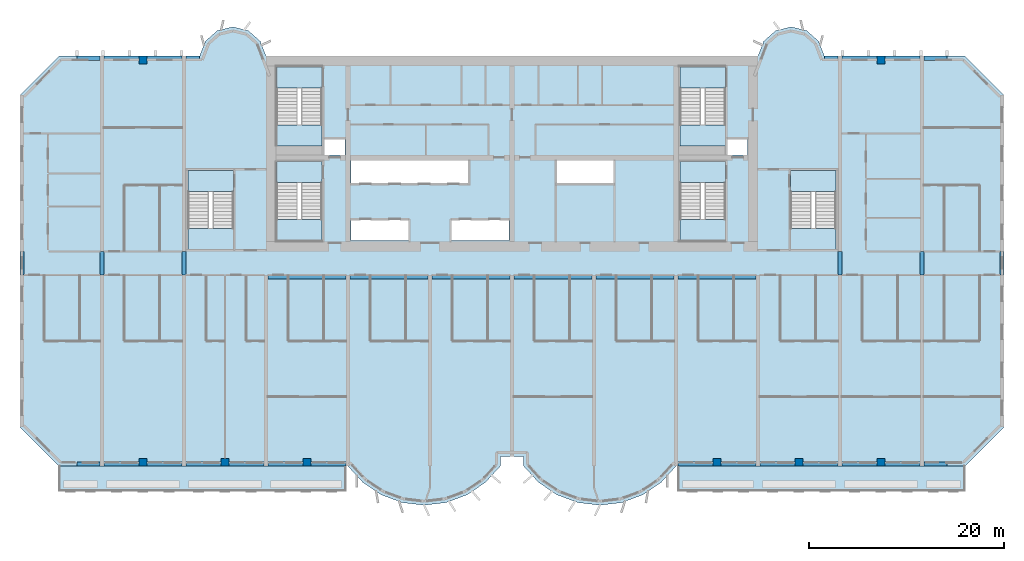
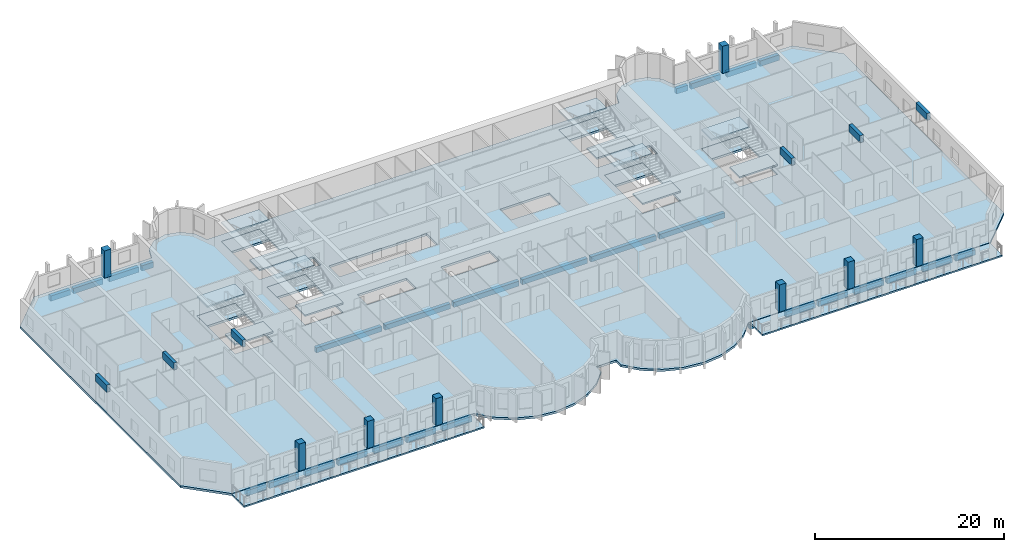
# One storey, part 1 of 15: 34 beams, 21 slabs, 8 columns, 6 elements without a shape of their own.
"""IFC4 building model written with IfcOpenShell, lengths in metres."""

import ifcopenshell
import ifcopenshell.guid

model = None  # the IFC model being written
_history = None  # IfcOwnerHistory: only IFC2X3 demands one
_inside = {}  # id of a spatial element -> (the spatial element, [elements in it])
_under = {}  # id of a project, library or spatial element -> (it, [spatial elements below it])
_declared = {}  # id of a project -> (the project, [libraries it declares])
_typed = {}  # id of a type object -> (the type object, [elements of that type])
_made_of = {}  # id of a material, layer set ... -> (it, [elements and type objects made of it])


def new_model(schema):
    """Start an empty IFC model of exactly this schema.

    Asked for "IFC4X3", IfcOpenShell would pick the latest addendum, in which some entities
    have other attributes; the version numbers below select the first issue.
    IFC2X3 requires an IfcOwnerHistory on every rooted entity: one is made here for all.
    """
    global model, _history
    if schema == "IFC4X3":
        model = ifcopenshell.file(schema_version=(4, 3, 0, 0))
    else:
        model = ifcopenshell.file(schema=schema)
    _inside.clear()
    _under.clear()
    _declared.clear()
    _typed.clear()
    _made_of.clear()
    _history = None
    if model.schema == "IFC2X3":
        org = make("IfcOrganization", Name="unknown")
        user = make(
            "IfcPersonAndOrganization",
            ThePerson=make("IfcPerson", FamilyName="unknown"),
            TheOrganization=org,
        )
        app = make(
            "IfcApplication",
            ApplicationDeveloper=org,
            Version="unknown",
            ApplicationFullName="unknown",
            ApplicationIdentifier="unknown",
        )
        _history = make(
            "IfcOwnerHistory",
            OwningUser=user,
            OwningApplication=app,
            ChangeAction="ADDED",
            CreationDate=0,
        )
    return model


def make(cls, **values):
    """One entity of the class cls with the attributes given. An attribute that is None is left unset."""
    return model.create_entity(
        cls, **{name: value for name, value in values.items() if value is not None}
    )


def rooted(cls, **values):
    """An entity with a GlobalId (a new one), such as an element, a storey or a relation."""
    return make(cls, GlobalId=ifcopenshell.guid.new(), OwnerHistory=_history, **values)


def si_unit(unit_type, name, prefix=None):
    """IfcSIUnit, for example si_unit("LENGTHUNIT", "METRE", prefix="MILLI")."""
    return make("IfcSIUnit", UnitType=unit_type, Prefix=prefix, Name=name)


def assignment(units):
    """IfcUnitAssignment: the units of a project."""
    return None if units is None else make("IfcUnitAssignment", Units=units)


def point(xyz):
    """IfcCartesianPoint."""
    return None if xyz is None else make("IfcCartesianPoint", Coordinates=xyz)


def direction(xyz):
    """IfcDirection."""
    return None if xyz is None else make("IfcDirection", DirectionRatios=xyz)


def frame(location, z_axis=None, x_axis=None):
    """IfcAxis2Placement3D, a coordinate frame: its origin and axes. An axis left out is left unset."""
    return make(
        "IfcAxis2Placement3D",
        Location=point(location),
        Axis=direction(z_axis),
        RefDirection=direction(x_axis),
    )


def frame_2d(location, x_axis=None):
    """IfcAxis2Placement2D, a coordinate frame in the plane: its origin and x axis."""
    return make(
        "IfcAxis2Placement2D", Location=point(location), RefDirection=direction(x_axis)
    )


def origin():
    """The frame at (0, 0, 0) with its axes left unset."""
    return frame((0.0, 0.0, 0.0))


def origin_2d():
    """The frame at (0, 0) in the plane with its x axis left unset."""
    return frame_2d((0.0, 0.0))


def place(relative_to, where):
    """IfcLocalPlacement: puts the frame where relative to a parent placement (None: the world)."""
    return make(
        "IfcLocalPlacement", PlacementRelTo=relative_to, RelativePlacement=where
    )


def context(
    kind, dimensions, precision=None, world=None, true_north=None, identifier=None
):
    """IfcGeometricRepresentationContext, for example the 3D "Model" context."""
    return make(
        "IfcGeometricRepresentationContext",
        ContextIdentifier=identifier,
        ContextType=kind,
        CoordinateSpaceDimension=dimensions,
        Precision=precision,
        WorldCoordinateSystem=world,
        TrueNorth=true_north,
    )


def subcontext(parent, identifier, kind, view, scale=None):
    """IfcGeometricRepresentationSubContext, for example "Body" below "Model"."""
    return make(
        "IfcGeometricRepresentationSubContext",
        ContextIdentifier=identifier,
        ContextType=kind,
        ParentContext=parent,
        TargetScale=scale,
        TargetView=view,
    )


def project(units=None, contexts=None):
    """IfcProject with its units and contexts."""
    return rooted(
        "IfcProject",
        Name="project",
        RepresentationContexts=contexts,
        UnitsInContext=assignment(units),
    )


def spatial(cls, under=None, at=None, **own):
    """A site, building, storey or space (cls), placed at a placement, below another one or the project."""
    s = rooted(cls, ObjectPlacement=at, **own)
    if under is not None:
        _under.setdefault(under.id(), (under, []))[1].append(s)
    return s


def polyline(points):
    """IfcPolyline through the points."""
    return make("IfcPolyline", Points=[point(p) for p in points])


def profile(cls, at=None, kind="AREA", **sizes):
    """A parametric profile (cls). Its sizes go by their IFC names, for example OverallWidth=200.0."""
    return make(cls, ProfileType=kind, Position=at, **sizes)


def rectangle(**sizes):
    """IfcRectangleProfileDef."""
    return profile("IfcRectangleProfileDef", **sizes)


def outline(outer, holes=None, kind="AREA"):
    """IfcArbitraryClosedProfileDef: a profile drawn as a closed curve; with holes, ...WithVoids."""
    if holes is None:
        return make("IfcArbitraryClosedProfileDef", ProfileType=kind, OuterCurve=outer)
    return make(
        "IfcArbitraryProfileDefWithVoids",
        ProfileType=kind,
        OuterCurve=outer,
        InnerCurves=holes,
    )


def extrude(swept, where, along, depth):
    """IfcExtrudedAreaSolid: the profile swept, set in the frame where, extruded along a direction by depth."""
    return make(
        "IfcExtrudedAreaSolid",
        SweptArea=swept,
        Position=where,
        ExtrudedDirection=direction(along),
        Depth=depth,
    )


def shape(context_of_items, identifier, shape_type, items):
    """IfcShapeRepresentation: the items that make up one representation, for example the "Body"."""
    return make(
        "IfcShapeRepresentation",
        ContextOfItems=context_of_items,
        RepresentationIdentifier=identifier,
        RepresentationType=shape_type,
        Items=items,
    )


def source(mapping_origin, context_of_items, identifier, shape_type, items):
    """IfcRepresentationMap: a shape defined once, which mapped items show again and again."""
    return make(
        "IfcRepresentationMap",
        MappingOrigin=mapping_origin,
        MappedRepresentation=shape(context_of_items, identifier, shape_type, items),
    )


def transform(
    local_origin,
    x_axis=None,
    y_axis=None,
    z_axis=None,
    scale=None,
    scale2=None,
    scale3=None,
    uniform=True,
):
    """IfcCartesianTransformationOperator3D, or its non-uniform kind. x_axis, y_axis, z_axis: its Axis1, 2, 3."""
    if uniform:
        return make(
            "IfcCartesianTransformationOperator3D",
            Axis1=direction(x_axis),
            Axis2=direction(y_axis),
            LocalOrigin=point(local_origin),
            Scale=scale,
            Axis3=direction(z_axis),
        )
    return make(
        "IfcCartesianTransformationOperator3DnonUniform",
        Axis1=direction(x_axis),
        Axis2=direction(y_axis),
        LocalOrigin=point(local_origin),
        Scale=scale,
        Axis3=direction(z_axis),
        Scale2=scale2,
        Scale3=scale3,
    )


def mapped(mapping_source, mapping_target):
    """IfcMappedItem: shows the shape of a source again, moved by a transform."""
    return make(
        "IfcMappedItem", MappingSource=mapping_source, MappingTarget=mapping_target
    )


def material(Name=None, Category=None):
    """IfcMaterial."""
    return make("IfcMaterial", Name=Name, Category=Category)


def layer(
    of_material, thickness, ventilated=None, Name=None, Category=None, Priority=None
):
    """IfcMaterialLayer: one layer of a wall or slab, of a material (None: an air gap)."""
    return make(
        "IfcMaterialLayer",
        Material=of_material,
        LayerThickness=thickness,
        IsVentilated=ventilated,
        Name=Name,
        Category=Category,
        Priority=Priority,
    )


def layer_set(layers, Name=None):
    """IfcMaterialLayerSet."""
    return make("IfcMaterialLayerSet", MaterialLayers=layers, LayerSetName=Name)


def material_profile(
    of_material, cross_section, Name=None, Category=None, Priority=None
):
    """IfcMaterialProfile: a cross section and its material."""
    return make(
        "IfcMaterialProfile",
        Name=Name,
        Material=of_material,
        Profile=cross_section,
        Priority=Priority,
        Category=Category,
    )


def profile_set(profiles, Name=None, composite=None):
    """IfcMaterialProfileSet."""
    return make(
        "IfcMaterialProfileSet",
        Name=Name,
        MaterialProfiles=profiles,
        CompositeProfile=composite,
    )


def made_of(thing, what):
    """Note that an element or type object is made of a material, layer set ...; save() writes the relation."""
    if what is not None:
        _made_of.setdefault(what.id(), (what, []))[1].append(thing)
    return thing


def type_object(cls, material=None, **own):
    """A type object (cls), such as IfcWallType, which elements share."""
    return made_of(rooted(cls, **own), material)


def element(
    cls,
    number,
    at=None,
    inside=None,
    cuts=None,
    type_object=None,
    material=None,
    context=None,
    identifier="Body",
    shape_type=None,
    held_by="IfcProductDefinitionShape",
    body=None,
    shapes=None,
    **own,
):
    """One element of the class cls, such as IfcWall. Its Tag is "e" and its number.

    at: its placement. inside: the storey or other place that contains it. cuts: it is an
    opening in that element (IfcRelVoidsElement). A single representation is given by context,
    identifier, shape_type and body (its items); several are given by shapes. held_by: the class
    of the entity that holds the representations. save() writes the other relations.
    """
    e = rooted(cls, Tag="e%d" % number, ObjectPlacement=at, **own)
    if body is not None:
        shapes = [shape(context, identifier, shape_type, body)]
    if shapes is not None:
        e.Representation = make(held_by, Representations=shapes)
    if inside is not None:
        _inside.setdefault(inside.id(), (inside, []))[1].append(e)
    if cuts is not None:
        rooted(
            "IfcRelVoidsElement", RelatingBuildingElement=cuts, RelatedOpeningElement=e
        )
    if type_object is not None:
        _typed.setdefault(type_object.id(), (type_object, []))[1].append(e)
    return made_of(e, material)


def aggregate(whole, parts):
    """IfcRelAggregates: a whole, such as a stair, and the parts it consists of."""
    return rooted("IfcRelAggregates", RelatingObject=whole, RelatedObjects=parts)


def save(model, path):
    """Write the relations noted so far, then the file.

    IfcRelAggregates (storeys below a building ...), IfcRelContainedInSpatialStructure (elements
    in a storey), IfcRelDefinesByType, IfcRelAssociatesMaterial and IfcRelDeclares: one each for
    every whole, place, type object, material and project.
    """
    for whole, parts in _under.values():
        aggregate(whole, parts)
    for where, things in _inside.values():
        rooted(
            "IfcRelContainedInSpatialStructure",
            RelatedElements=things,
            RelatingStructure=where,
        )
    for kind, things in _typed.values():
        rooted("IfcRelDefinesByType", RelatedObjects=things, RelatingType=kind)
    for what, things in _made_of.values():
        rooted("IfcRelAssociatesMaterial", RelatedObjects=things, RelatingMaterial=what)
    for by, libraries in _declared.values():
        rooted("IfcRelDeclares", RelatingContext=by, RelatedDefinitions=libraries)
    model.write(path)


model = new_model("IFC4")

# Units and contexts
model_context = context("Model", 3, precision=1e-05, world=origin(), true_north=direction((0.0, 1.0)))
body_context = subcontext(model_context, "Body", "Model", "MODEL_VIEW")
ifc_project = project(units=[si_unit("LENGTHUNIT", "METRE"), si_unit("AREAUNIT", "SQUARE_METRE"), si_unit("VOLUMEUNIT", "CUBIC_METRE"), si_unit("PLANEANGLEUNIT", "RADIAN"), si_unit("MASSUNIT", "GRAM", prefix="KILO")], contexts=[model_context])

# Site, building, storey
site_placement = place(None, origin())
site = spatial("IfcSite", under=ifc_project, at=site_placement, CompositionType="ELEMENT")
building_placement = place(site_placement, origin())
building = spatial("IfcBuilding", under=site, at=building_placement, Name="Vanashikhar Sky Hotel", CompositionType="ELEMENT")
storey_placement = place(building_placement, frame((0.0, 0.0, 69.60009765625)))
storey = spatial("IfcBuildingStorey", under=building, at=storey_placement, Name="L16", CompositionType="ELEMENT", Elevation=69.60009765625)

# Columns
ifc_material_1 = material(Name="Concrete M70", Category="concrete")
ifc_material_profile_1 = material_profile(ifc_material_1, rectangle(XDim=0.800048828125, YDim=0.800048828125, at=origin_2d()))
ifc_profile_set_1 = profile_set([ifc_material_profile_1], Name="RC 800x800 column Concrete M70")
column_type = type_object("IfcColumnType", Name="RC 800x800 column Concrete M70", PredefinedType="COLUMN", material=ifc_profile_set_1)
shared_shape_1 = source(origin(), body_context, "Body", "SweptSolid", [
    extrude(rectangle(XDim=0.800048828125, YDim=0.800048828125, at=origin_2d()), origin(), (0.0, 0.0, 1.0), 3.52001953125),
])
for number, where, z_axis, x_axis, name in (
    (1, (12.60009765625, 0.39990234375, 0.0), (0.0, 0.0, 1.0), (1.0, 0.0, 0.0), "CL-L16-CF02"),
    (2, (21.0, 0.39990234375, 0.0), (0.0, 0.0, 1.0), (1.0, 0.0, 0.0), "CL-L16-CF03"),
    (3, (29.39990234375, 0.39990234375, 0.0), (0.0, 0.0, 1.0), (1.0, 0.0, 0.0), "CL-L16-CF04"),
    (4, (71.39990234375, 0.39990234375, 0.0), (0.0, 0.0, 1.0), (1.0, 0.0, 0.0), "CL-L16-CF09"),
    (5, (79.800048828125, 0.39990234375, 0.0), (0.0, 0.0, 1.0), (1.0, 0.0, 0.0), "CL-L16-CF10"),
    (6, (88.199951171875, 0.39990234375, 0.0), (0.0, 0.0, 1.0), (1.0, 0.0, 0.0), "CL-L16-CF11"),
    (7, (12.60009765625, 41.60009765625, 0.0), (0.0, 0.0, 1.0), (1.0, 0.0, 0.0), "CL-L16-CR02"),
    (8, (88.199951171875, 41.60009765625, 0.0), (0.0, 0.0, 1.0), (1.0, 0.0, 0.0), "CL-L16-CR11"),
):
    element("IfcColumn", number, at=place(storey_placement, frame(where, z_axis=z_axis, x_axis=x_axis)), inside=storey, type_object=column_type, Name=name, PredefinedType="COLUMN", context=body_context, shape_type="MappedRepresentation", body=[
        mapped(shared_shape_1, transform((0.0, 0.0, 0.0), scale=1.0)),
    ])

# Beams
ifc_material_2 = material(Name="Concrete M50", Category="concrete")
ifc_material_profile_2 = material_profile(ifc_material_2, rectangle(XDim=0.39990234375, YDim=0.89990234375, at=origin_2d()))
ifc_profile_set_2 = profile_set([ifc_material_profile_2], Name="RC 400x900 beam Concrete M50")
beam_type_1 = type_object("IfcBeamType", Name="RC 400x900 beam Concrete M50", PredefinedType="LINTEL", material=ifc_profile_set_2)
shared_shape_2 = source(origin(), body_context, "Body", "SweptSolid", [
    extrude(rectangle(XDim=0.39990234375, YDim=0.89990234375, at=origin_2d()), origin(), (0.0, 0.0, 1.0), 2.39990234375),
])
for number, where, z_axis, x_axis, name in (
    (9, (0.199951171875, 19.60009765625, 3.06982421875), (0.0, 1.0, 0.0), (-1.0, 0.0, 0.0), "LB-L16-XW01"),
    (10, (8.39990234375, 19.60009765625, 3.06982421875), (0.0, 1.0, 0.0), (-1.0, 0.0, 0.0), "LB-L16-XW02"),
    (11, (16.800048828125, 19.60009765625, 3.06982421875), (0.0, 1.0, 0.0), (-1.0, 0.0, 0.0), "LB-L16-XW03"),
    (12, (84.0, 19.60009765625, 3.06982421875), (0.0, 1.0, 0.0), (-1.0, 0.0, 0.0), "LB-L16-XW11"),
    (13, (92.39990234375, 19.60009765625, 3.06982421875), (0.0, 1.0, 0.0), (-1.0, 0.0, 0.0), "LB-L16-XW12"),
    (14, (100.60009765625, 19.60009765625, 3.06982421875), (0.0, 1.0, 0.0), (-1.0, 0.0, 0.0), "LB-L16-XW13"),
):
    element("IfcBeam", number, at=place(storey_placement, frame(where, z_axis=z_axis, x_axis=x_axis)), inside=storey, type_object=beam_type_1, Name=name, PredefinedType="LINTEL", context=body_context, shape_type="MappedRepresentation", body=[
        mapped(shared_shape_2, transform((0.0, 0.0, 0.0), scale=1.0)),
    ])
ifc_material_profile_3 = material_profile(ifc_material_2, rectangle(XDim=0.449951171875, YDim=0.699951171875, at=origin_2d()))
ifc_profile_set_3 = profile_set([ifc_material_profile_3], Name="RC 450x700 beam Concrete M50")
beam_type_2 = type_object("IfcBeamType", Name="RC 450x700 beam Concrete M50", PredefinedType="BEAM", material=ifc_profile_set_3)
shared_shape_3 = source(origin(), body_context, "Body", "SweptSolid", [
    extrude(rectangle(XDim=0.449951171875, YDim=0.699951171875, at=origin_2d()), origin(), (0.0, 0.0, 1.0), 3.599853515625),
])
for number, where, z_axis, x_axis, name in (
    (15, (8.60009765625, 0.22509765625, -0.630126953125), (1.0, 0.0, 0.0), (0.0, 1.0, 0.0), "EB-L16-F01"),
    (16, (29.800048828125, 0.22509765625, -0.630126953125), (1.0, 0.0, 0.0), (0.0, 1.0, 0.0), "EB-L16-F06"),
    (17, (71.800048828125, 0.22509765625, -0.630126953125), (1.0, 0.0, 0.0), (0.0, 1.0, 0.0), "EB-L16-F09"),
    (18, (75.800048828125, 0.22509765625, -0.630126953125), (1.0, 0.0, 0.0), (0.0, 1.0, 0.0), "EB-L16-F10"),
    (19, (88.60009765625, 0.22509765625, -0.630126953125), (1.0, 0.0, 0.0), (0.0, 1.0, 0.0), "EB-L16-F13"),
    (20, (8.60009765625, 41.77490234375, -0.630126953125), (1.0, 0.0, 0.0), (0.0, 1.0, 0.0), "EB-L16-R01"),
    (21, (88.60009765625, 41.77490234375, -0.630126953125), (1.0, 0.0, 0.0), (0.0, 1.0, 0.0), "EB-L16-R06"),
):
    element("IfcBeam", number, at=place(storey_placement, frame(where, z_axis=z_axis, x_axis=x_axis)), inside=storey, type_object=beam_type_2, Name=name, PredefinedType="BEAM", context=body_context, shape_type="MappedRepresentation", body=[
        mapped(shared_shape_3, transform((0.0, 0.0, 0.0), scale=1.0)),
    ])
shared_shape_4 = source(origin(), body_context, "Body", "SweptSolid", [
    extrude(rectangle(XDim=0.449951171875, YDim=0.699951171875, at=origin_2d()), origin(), (0.0, 0.0, 1.0), 3.60009765625),
])
for number, where, z_axis, x_axis, name in (
    (22, (13.0, 0.22509765625, -0.630126953125), (1.0, 0.0, 0.0), (0.0, 1.0, 0.0), "EB-L16-F02"),
    (23, (17.0, 0.22509765625, -0.630126953125), (1.0, 0.0, 0.0), (0.0, 1.0, 0.0), "EB-L16-F03"),
    (24, (21.39990234375, 0.22509765625, -0.630126953125), (1.0, 0.0, 0.0), (0.0, 1.0, 0.0), "EB-L16-F04"),
    (25, (25.39990234375, 0.22509765625, -0.630126953125), (1.0, 0.0, 0.0), (0.0, 1.0, 0.0), "EB-L16-F05"),
    (26, (67.39990234375, 0.22509765625, -0.630126953125), (1.0, 0.0, 0.0), (0.0, 1.0, 0.0), "EB-L16-F08"),
    (27, (80.199951171875, 0.22509765625, -0.630126953125), (1.0, 0.0, 0.0), (0.0, 1.0, 0.0), "EB-L16-F11"),
    (28, (84.199951171875, 0.22509765625, -0.630126953125), (1.0, 0.0, 0.0), (0.0, 1.0, 0.0), "EB-L16-F12"),
    (29, (13.0, 41.77490234375, -0.630126953125), (1.0, 0.0, 0.0), (0.0, 1.0, 0.0), "EB-L16-R02"),
    (30, (84.199951171875, 41.77490234375, -0.630126953125), (1.0, 0.0, 0.0), (0.0, 1.0, 0.0), "EB-L16-R05"),
):
    element("IfcBeam", number, at=place(storey_placement, frame(where, z_axis=z_axis, x_axis=x_axis)), inside=storey, type_object=beam_type_2, Name=name, PredefinedType="BEAM", context=body_context, shape_type="MappedRepresentation", body=[
        mapped(shared_shape_4, transform((0.0, 0.0, 0.0), scale=1.0)),
    ])
ifc_material_profile_4 = material_profile(ifc_material_2, rectangle(XDim=0.449951171875, YDim=0.699951171875, at=origin_2d()))
ifc_profile_set_4 = profile_set([ifc_material_profile_4], Name="RC 450x700 cantilever beam Concrete M50")
beam_type_3 = type_object("IfcBeamType", Name="RC 450x700 cantilever beam Concrete M50", PredefinedType="SPANDREL", material=ifc_profile_set_4)
shared_shape_5 = source(origin(), body_context, "Body", "SweptSolid", [
    extrude(rectangle(XDim=0.449951171875, YDim=0.699951171875, at=origin_2d()), origin(), (0.0, 0.0, 1.0), 2.3798828125),
])
for number, where, z_axis, x_axis, name in (
    (31, (5.820068359375, 0.22509765625, -0.630126953125), (1.0, 0.0, 0.0), (0.0, 1.0, 0.0), "EB-L16-F07"),
    (32, (92.60009765625, 0.22509765625, -0.630126953125), (1.0, 0.0, 0.0), (0.0, 1.0, 0.0), "EB-L16-F14"),
    (33, (5.820068359375, 41.77490234375, -0.630126953125), (1.0, 0.0, 0.0), (0.0, 1.0, 0.0), "EB-L16-R03"),
    (34, (92.60009765625, 41.77490234375, -0.630126953125), (1.0, 0.0, 0.0), (0.0, 1.0, 0.0), "EB-L16-R08"),
):
    element("IfcBeam", number, at=place(storey_placement, frame(where, z_axis=z_axis, x_axis=x_axis)), inside=storey, type_object=beam_type_3, Name=name, PredefinedType="SPANDREL", context=body_context, shape_type="MappedRepresentation", body=[
        mapped(shared_shape_5, transform((0.0, 0.0, 0.0), scale=1.0)),
    ])
shared_shape_6 = source(origin(), body_context, "Body", "SweptSolid", [
    extrude(rectangle(XDim=0.449951171875, YDim=0.699951171875, at=origin_2d()), origin(), (0.0, 0.0, 1.0), 1.39990234375),
])
beam_1_placement = place(storey_placement, frame((17.0, 41.77490234375, -0.630126953125), z_axis=(1.0, 0.0, 0.0), x_axis=(0.0, 1.0, 0.0)))
element("IfcBeam", 35, at=beam_1_placement, inside=storey, type_object=beam_type_3, Name="EB-L16-R04", PredefinedType="SPANDREL", context=body_context, shape_type="MappedRepresentation", body=[
    mapped(shared_shape_6, transform((0.0, 0.0, 0.0), scale=1.0)),
])
shared_shape_7 = source(origin(), body_context, "Body", "SweptSolid", [
    extrude(rectangle(XDim=0.449951171875, YDim=0.699951171875, at=origin_2d()), origin(), (0.0, 0.0, 1.0), 1.400146484375),
])
beam_2_placement = place(storey_placement, frame((82.39990234375, 41.77490234375, -0.630126953125), z_axis=(1.0, 0.0, 0.0), x_axis=(0.0, 1.0, 0.0)))
element("IfcBeam", 36, at=beam_2_placement, inside=storey, type_object=beam_type_3, Name="EB-L16-R07", PredefinedType="SPANDREL", context=body_context, shape_type="MappedRepresentation", body=[
    mapped(shared_shape_7, transform((0.0, 0.0, 0.0), scale=1.0)),
])
ifc_material_profile_5 = material_profile(ifc_material_2, rectangle(XDim=0.449951171875, YDim=0.64990234375, at=origin_2d()))
ifc_profile_set_5 = profile_set([ifc_material_profile_5], Name="RC 450x650 beam Concrete M50")
beam_type_4 = type_object("IfcBeamType", Name="RC 450x650 beam Concrete M50", PredefinedType="BEAM", material=ifc_profile_set_5)
shared_shape_8 = source(origin(), body_context, "Body", "SweptSolid", [
    extrude(rectangle(XDim=0.449951171875, YDim=0.64990234375, at=origin_2d()), origin(), (0.0, 0.0, 1.0), 8.0),
])
for number, where, z_axis, x_axis, name in (
    (37, (25.39990234375, 19.375, -0.60498046875), (1.0, 0.0, 0.0), (0.0, 1.0, 0.0), "CB-L16-01"),
    (38, (33.800048828125, 19.375, -0.60498046875), (1.0, 0.0, 0.0), (0.0, 1.0, 0.0), "CB-L16-02"),
    (39, (42.199951171875, 19.375, -0.60498046875), (1.0, 0.0, 0.0), (0.0, 1.0, 0.0), "CB-L16-03"),
    (40, (50.60009765625, 19.375, -0.60498046875), (1.0, 0.0, 0.0), (0.0, 1.0, 0.0), "CB-L16-04"),
    (41, (59.0, 19.375, -0.60498046875), (1.0, 0.0, 0.0), (0.0, 1.0, 0.0), "CB-L16-05"),
    (42, (67.39990234375, 19.375, -0.60498046875), (1.0, 0.0, 0.0), (0.0, 1.0, 0.0), "CB-L16-06"),
):
    element("IfcBeam", number, at=place(storey_placement, frame(where, z_axis=z_axis, x_axis=x_axis)), inside=storey, type_object=beam_type_4, Name=name, PredefinedType="BEAM", context=body_context, shape_type="MappedRepresentation", body=[
        mapped(shared_shape_8, transform((0.0, 0.0, 0.0), scale=1.0)),
    ])

# Slabs
ifc_material_3 = material(Name="Concrete M40", Category="concrete")
ifc_layer_1 = layer(ifc_material_3, 0.280029296875)
ifc_layer_set_1 = layer_set([ifc_layer_1], Name="Floor slab 280 mm")
slab_type_1 = type_object("IfcSlabType", Name="Floor slab 280 mm", PredefinedType="FLOOR", material=ifc_layer_set_1)
shared_shape_9 = source(origin(), body_context, "Body", "SweptSolid", [
    extrude(outline(polyline([(49.199951171875, 0.0), (49.199951171875, 1.0), (51.60009765625, 1.0), (51.60009765625, 0.0), (53.133056640625, -1.674072265625), (55.01708984375, -2.94189453125), (57.14599609375, -3.73193359375), (59.39990234375, -4.0), (61.654052734375, -3.73193359375), (63.782958984375, -2.94189453125), (65.6669921875, -1.674072265625), (67.199951171875, 0.0), (96.800048828125, 0.0), (100.800048828125, 4.0), (100.800048828125, 38.0), (96.800048828125, 42.0), (82.39990234375, 42.0), (81.81494140625, 43.527099609375), (80.587890625, 44.610107421875), (79.0, 45.0), (77.412109375, 44.610107421875), (76.18505859375, 43.527099609375), (75.60009765625, 42.0), (25.199951171875, 42.0), (24.614990234375, 43.527099609375), (23.387939453125, 44.610107421875), (21.800048828125, 45.0), (20.2119140625, 44.610107421875), (18.985107421875, 43.527099609375), (18.39990234375, 42.0), (4.0, 42.0), (0.0, 38.0), (0.0, 4.0), (4.0, 0.0), (33.60009765625, 0.0), (35.133056640625, -1.674072265625), (37.01708984375, -2.94189453125), (39.14599609375, -3.73193359375), (41.39990234375, -4.0), (43.654052734375, -3.73193359375), (45.782958984375, -2.94189453125), (47.6669921875, -1.674072265625), (49.199951171875, 0.0)]), holes=[polyline([(33.300048828125, 33.60009765625), (31.050048828125, 33.60009765625), (31.050048828125, 31.89990234375), (33.300048828125, 31.89990234375), (33.300048828125, 33.60009765625)]), polyline([(33.89990234375, 25.199951171875), (33.89990234375, 23.10009765625), (39.89990234375, 23.10009765625), (39.89990234375, 25.199951171875), (33.89990234375, 25.199951171875)]), polyline([(33.89990234375, 31.300048828125), (33.89990234375, 29.0), (45.89990234375, 29.0), (45.89990234375, 31.300048828125), (33.89990234375, 31.300048828125)]), polyline([(44.10009765625, 25.199951171875), (44.10009765625, 23.10009765625), (50.10009765625, 23.10009765625), (50.10009765625, 25.199951171875), (44.10009765625, 25.199951171875)]), polyline([(54.89990234375, 31.300048828125), (54.89990234375, 29.0), (60.89990234375, 29.0), (60.89990234375, 31.300048828125), (54.89990234375, 31.300048828125)]), polyline([(74.5, 33.60009765625), (72.35009765625, 33.60009765625), (72.35009765625, 31.89990234375), (74.5, 31.89990234375), (74.5, 33.60009765625)]), polyline([(30.949951171875, 23.10009765625), (30.949951171875, 31.199951171875), (26.300048828125, 31.199951171875), (26.300048828125, 23.10009765625), (30.949951171875, 23.10009765625)]), polyline([(72.25, 23.10009765625), (72.25, 31.199951171875), (67.60009765625, 31.199951171875), (67.60009765625, 23.10009765625), (72.25, 23.10009765625)]), polyline([(30.949951171875, 32.800048828125), (30.949951171875, 40.89990234375), (26.300048828125, 40.89990234375), (26.300048828125, 32.800048828125), (30.949951171875, 32.800048828125)]), polyline([(72.25, 32.800048828125), (72.25, 40.89990234375), (67.60009765625, 40.89990234375), (67.60009765625, 32.800048828125), (72.25, 32.800048828125)]), polyline([(83.60009765625, 22.199951171875), (83.60009765625, 30.300048828125), (78.949951171875, 30.300048828125), (78.949951171875, 22.199951171875), (83.60009765625, 22.199951171875)]), polyline([(21.85009765625, 22.199951171875), (21.85009765625, 30.300048828125), (17.199951171875, 30.300048828125), (17.199951171875, 22.199951171875), (21.85009765625, 22.199951171875)])]), origin(), (0.0, 0.0, 1.0), 0.280029296875),
])
slab_1_placement = place(storey_placement, frame((0.0, 0.0, -0.280029296875)))
element("IfcSlab", 43, at=slab_1_placement, inside=storey, type_object=slab_type_1, Name="Floor slab L16", PredefinedType="FLOOR", context=body_context, shape_type="MappedRepresentation", body=[
    mapped(shared_shape_9, transform((0.0, 0.0, 0.0), scale=1.0)),
])
ifc_layer_2 = layer(ifc_material_3, 0.199951171875)
ifc_layer_set_2 = layer_set([ifc_layer_2], Name="Balcony slab 200 mm")
slab_type_2 = type_object("IfcSlabType", Name="Balcony slab 200 mm", PredefinedType="USERDEFINED", material=ifc_layer_set_2)
shared_shape_10 = source(origin(), body_context, "Body", "SweptSolid", [
    extrude(outline(polyline([(4.0, -2.60009765625), (33.39990234375, -2.60009765625), (33.39990234375, 0.0), (4.0, 0.0), (4.0, -2.60009765625)])), origin(), (0.0, 0.0, 1.0), 0.199951171875),
])
slab_2_placement = place(storey_placement, frame((0.0, 0.0, -0.25)))
element("IfcSlab", 44, at=slab_2_placement, inside=storey, type_object=slab_type_2, Name="Balcony slab L16 1", ObjectType="BALCONY", PredefinedType="USERDEFINED", context=body_context, shape_type="MappedRepresentation", body=[
    mapped(shared_shape_10, transform((0.0, 0.0, 0.0), scale=1.0)),
])
shared_shape_11 = source(origin(), body_context, "Body", "SweptSolid", [
    extrude(outline(polyline([(67.39990234375, -2.60009765625), (96.800048828125, -2.60009765625), (96.800048828125, 0.0), (67.39990234375, 0.0), (67.39990234375, -2.60009765625)])), origin(), (0.0, 0.0, 1.0), 0.199951171875),
])
slab_3_placement = place(storey_placement, frame((0.0, 0.0, -0.25)))
element("IfcSlab", 45, at=slab_3_placement, inside=storey, type_object=slab_type_2, Name="Balcony slab L16 2", ObjectType="BALCONY", PredefinedType="USERDEFINED", context=body_context, shape_type="MappedRepresentation", body=[
    mapped(shared_shape_11, transform((0.0, 0.0, 0.0), scale=1.0)),
])

# Stair, slabs
stair_type = type_object("IfcStairType", Name="Exit stair 2150", PredefinedType="DOUBLE_RETURN_STAIR", material=ifc_material_3)
stair_1_placement = place(storey_placement, origin())
stair_1 = element("IfcStair", 46, at=stair_1_placement, inside=storey, type_object=stair_type, Name="L16 Exit stair 1", PredefinedType="DOUBLE_RETURN_STAIR")
ifc_layer_3 = layer(ifc_material_3, 0.199951171875)
ifc_layer_set_3 = layer_set([ifc_layer_3], Name="Stair landing 200")
slab_type_3 = type_object("IfcSlabType", Name="Stair landing 200", PredefinedType="LANDING", material=ifc_layer_set_3)
shared_shape_12 = source(origin(), body_context, "Body", "SweptSolid", [
    extrude(outline(polyline([(30.949951171875, 29.050048828125), (30.949951171875, 31.199951171875), (26.300048828125, 31.199951171875), (26.300048828125, 29.050048828125), (30.949951171875, 29.050048828125)])), origin(), (0.0, 0.0, 1.0), 0.199951171875),
])
slab_4_placement = place(storey_placement, frame((0.0, 0.0, 2.333251953125)))
slab_4 = element("IfcSlab", 47, at=slab_4_placement, type_object=slab_type_3, Name="ST-C1 landing 2", PredefinedType="LANDING", context=body_context, shape_type="MappedRepresentation", body=[
    mapped(shared_shape_12, transform((0.0, 0.0, 0.0), scale=1.0)),
])
shared_shape_13 = source(origin(), body_context, "Body", "SweptSolid", [
    extrude(outline(polyline([(30.949951171875, 23.10009765625), (30.949951171875, 25.25), (26.300048828125, 25.25), (26.300048828125, 23.10009765625), (30.949951171875, 23.10009765625)])), origin(), (0.0, 0.0, 1.0), 0.199951171875),
])
slab_5_placement = place(storey_placement, frame((0.0, 0.0, 1.066650390625)))
slab_5 = element("IfcSlab", 48, at=slab_5_placement, type_object=slab_type_3, Name="ST-C1 landing 1", PredefinedType="LANDING", context=body_context, shape_type="MappedRepresentation", body=[
    mapped(shared_shape_13, transform((0.0, 0.0, 0.0), scale=1.0)),
])
aggregate(stair_1, [slab_5, slab_4])

# Slab
ifc_layer_4 = layer(ifc_material_3, 0.280029296875)
ifc_layer_set_4 = layer_set([ifc_layer_4], Name="Stair floor landing 280")
slab_type_4 = type_object("IfcSlabType", Name="Stair floor landing 280", PredefinedType="LANDING", material=ifc_layer_set_4)
shared_shape_14 = source(origin(), body_context, "Body", "SweptSolid", [
    extrude(outline(polyline([(30.949951171875, 29.050048828125), (30.949951171875, 31.199951171875), (26.300048828125, 31.199951171875), (26.300048828125, 29.050048828125), (30.949951171875, 29.050048828125)])), origin(), (0.0, 0.0, 1.0), 0.280029296875),
])
slab_6_placement = place(storey_placement, frame((0.0, 0.0, -0.280029296875)))
element("IfcSlab", 49, at=slab_6_placement, inside=storey, type_object=slab_type_4, Name="Exit stair 1 floor landing", PredefinedType="LANDING", context=body_context, shape_type="MappedRepresentation", body=[
    mapped(shared_shape_14, transform((0.0, 0.0, 0.0), scale=1.0)),
])

# Stair, slabs
stair_2_placement = place(storey_placement, origin())
stair_2 = element("IfcStair", 50, at=stair_2_placement, inside=storey, type_object=stair_type, Name="L16 Exit stair 2", PredefinedType="DOUBLE_RETURN_STAIR")
shared_shape_15 = source(origin(), body_context, "Body", "SweptSolid", [
    extrude(outline(polyline([(72.25, 29.050048828125), (72.25, 31.199951171875), (67.60009765625, 31.199951171875), (67.60009765625, 29.050048828125), (72.25, 29.050048828125)])), origin(), (0.0, 0.0, 1.0), 0.199951171875),
])
slab_7_placement = place(storey_placement, frame((0.0, 0.0, 2.333251953125)))
slab_7 = element("IfcSlab", 51, at=slab_7_placement, type_object=slab_type_3, Name="ST-C2 landing 2", PredefinedType="LANDING", context=body_context, shape_type="MappedRepresentation", body=[
    mapped(shared_shape_15, transform((0.0, 0.0, 0.0), scale=1.0)),
])
shared_shape_16 = source(origin(), body_context, "Body", "SweptSolid", [
    extrude(outline(polyline([(72.25, 23.10009765625), (72.25, 25.25), (67.60009765625, 25.25), (67.60009765625, 23.10009765625), (72.25, 23.10009765625)])), origin(), (0.0, 0.0, 1.0), 0.199951171875),
])
slab_8_placement = place(storey_placement, frame((0.0, 0.0, 1.066650390625)))
slab_8 = element("IfcSlab", 52, at=slab_8_placement, type_object=slab_type_3, Name="ST-C2 landing 1", PredefinedType="LANDING", context=body_context, shape_type="MappedRepresentation", body=[
    mapped(shared_shape_16, transform((0.0, 0.0, 0.0), scale=1.0)),
])
aggregate(stair_2, [slab_8, slab_7])

# Slab
shared_shape_17 = source(origin(), body_context, "Body", "SweptSolid", [
    extrude(outline(polyline([(72.25, 29.050048828125), (72.25, 31.199951171875), (67.60009765625, 31.199951171875), (67.60009765625, 29.050048828125), (72.25, 29.050048828125)])), origin(), (0.0, 0.0, 1.0), 0.280029296875),
])
slab_9_placement = place(storey_placement, frame((0.0, 0.0, -0.280029296875)))
element("IfcSlab", 53, at=slab_9_placement, inside=storey, type_object=slab_type_4, Name="Exit stair 2 floor landing", PredefinedType="LANDING", context=body_context, shape_type="MappedRepresentation", body=[
    mapped(shared_shape_17, transform((0.0, 0.0, 0.0), scale=1.0)),
])

# Stair, slabs
stair_3_placement = place(storey_placement, origin())
stair_3 = element("IfcStair", 54, at=stair_3_placement, inside=storey, type_object=stair_type, Name="L16 Exit stair 3", PredefinedType="DOUBLE_RETURN_STAIR")
shared_shape_18 = source(origin(), body_context, "Body", "SweptSolid", [
    extrude(outline(polyline([(21.85009765625, 28.14990234375), (21.85009765625, 30.300048828125), (17.199951171875, 30.300048828125), (17.199951171875, 28.14990234375), (21.85009765625, 28.14990234375)])), origin(), (0.0, 0.0, 1.0), 0.199951171875),
])
slab_10_placement = place(storey_placement, frame((0.0, 0.0, 2.333251953125)))
slab_10 = element("IfcSlab", 55, at=slab_10_placement, type_object=slab_type_3, Name="ST-W landing 2", PredefinedType="LANDING", context=body_context, shape_type="MappedRepresentation", body=[
    mapped(shared_shape_18, transform((0.0, 0.0, 0.0), scale=1.0)),
])
shared_shape_19 = source(origin(), body_context, "Body", "SweptSolid", [
    extrude(outline(polyline([(21.85009765625, 22.199951171875), (21.85009765625, 24.35009765625), (17.199951171875, 24.35009765625), (17.199951171875, 22.199951171875), (21.85009765625, 22.199951171875)])), origin(), (0.0, 0.0, 1.0), 0.199951171875),
])
slab_11_placement = place(storey_placement, frame((0.0, 0.0, 1.066650390625)))
slab_11 = element("IfcSlab", 56, at=slab_11_placement, type_object=slab_type_3, Name="ST-W landing 1", PredefinedType="LANDING", context=body_context, shape_type="MappedRepresentation", body=[
    mapped(shared_shape_19, transform((0.0, 0.0, 0.0), scale=1.0)),
])
aggregate(stair_3, [slab_11, slab_10])

# Slab
shared_shape_20 = source(origin(), body_context, "Body", "SweptSolid", [
    extrude(outline(polyline([(21.85009765625, 28.14990234375), (21.85009765625, 30.300048828125), (17.199951171875, 30.300048828125), (17.199951171875, 28.14990234375), (21.85009765625, 28.14990234375)])), origin(), (0.0, 0.0, 1.0), 0.280029296875),
])
slab_12_placement = place(storey_placement, frame((0.0, 0.0, -0.280029296875)))
element("IfcSlab", 57, at=slab_12_placement, inside=storey, type_object=slab_type_4, Name="Exit stair 3 floor landing", PredefinedType="LANDING", context=body_context, shape_type="MappedRepresentation", body=[
    mapped(shared_shape_20, transform((0.0, 0.0, 0.0), scale=1.0)),
])

# Stair, slabs
stair_4_placement = place(storey_placement, origin())
stair_4 = element("IfcStair", 58, at=stair_4_placement, inside=storey, type_object=stair_type, Name="L16 Exit stair 4", PredefinedType="DOUBLE_RETURN_STAIR")
shared_shape_21 = source(origin(), body_context, "Body", "SweptSolid", [
    extrude(outline(polyline([(83.60009765625, 28.14990234375), (83.60009765625, 30.300048828125), (78.949951171875, 30.300048828125), (78.949951171875, 28.14990234375), (83.60009765625, 28.14990234375)])), origin(), (0.0, 0.0, 1.0), 0.199951171875),
])
slab_13_placement = place(storey_placement, frame((0.0, 0.0, 2.333251953125)))
slab_13 = element("IfcSlab", 59, at=slab_13_placement, type_object=slab_type_3, Name="ST-E landing 2", PredefinedType="LANDING", context=body_context, shape_type="MappedRepresentation", body=[
    mapped(shared_shape_21, transform((0.0, 0.0, 0.0), scale=1.0)),
])
shared_shape_22 = source(origin(), body_context, "Body", "SweptSolid", [
    extrude(outline(polyline([(83.60009765625, 22.199951171875), (83.60009765625, 24.35009765625), (78.949951171875, 24.35009765625), (78.949951171875, 22.199951171875), (83.60009765625, 22.199951171875)])), origin(), (0.0, 0.0, 1.0), 0.199951171875),
])
slab_14_placement = place(storey_placement, frame((0.0, 0.0, 1.066650390625)))
slab_14 = element("IfcSlab", 60, at=slab_14_placement, type_object=slab_type_3, Name="ST-E landing 1", PredefinedType="LANDING", context=body_context, shape_type="MappedRepresentation", body=[
    mapped(shared_shape_22, transform((0.0, 0.0, 0.0), scale=1.0)),
])
aggregate(stair_4, [slab_14, slab_13])

# Slab
shared_shape_23 = source(origin(), body_context, "Body", "SweptSolid", [
    extrude(outline(polyline([(83.60009765625, 28.14990234375), (83.60009765625, 30.300048828125), (78.949951171875, 30.300048828125), (78.949951171875, 28.14990234375), (83.60009765625, 28.14990234375)])), origin(), (0.0, 0.0, 1.0), 0.280029296875),
])
slab_15_placement = place(storey_placement, frame((0.0, 0.0, -0.280029296875)))
element("IfcSlab", 61, at=slab_15_placement, inside=storey, type_object=slab_type_4, Name="Exit stair 4 floor landing", PredefinedType="LANDING", context=body_context, shape_type="MappedRepresentation", body=[
    mapped(shared_shape_23, transform((0.0, 0.0, 0.0), scale=1.0)),
])

# Stair, slabs
stair_5_placement = place(storey_placement, origin())
stair_5 = element("IfcStair", 62, at=stair_5_placement, inside=storey, type_object=stair_type, Name="L16 Exit stair 5", PredefinedType="DOUBLE_RETURN_STAIR")
shared_shape_24 = source(origin(), body_context, "Body", "SweptSolid", [
    extrude(outline(polyline([(30.949951171875, 38.75), (30.949951171875, 40.89990234375), (26.300048828125, 40.89990234375), (26.300048828125, 38.75), (30.949951171875, 38.75)])), origin(), (0.0, 0.0, 1.0), 0.199951171875),
])
slab_16_placement = place(storey_placement, frame((0.0, 0.0, 2.333251953125)))
slab_16 = element("IfcSlab", 63, at=slab_16_placement, type_object=slab_type_3, Name="ST-C3 landing 2", PredefinedType="LANDING", context=body_context, shape_type="MappedRepresentation", body=[
    mapped(shared_shape_24, transform((0.0, 0.0, 0.0), scale=1.0)),
])
shared_shape_25 = source(origin(), body_context, "Body", "SweptSolid", [
    extrude(outline(polyline([(30.949951171875, 32.800048828125), (30.949951171875, 34.949951171875), (26.300048828125, 34.949951171875), (26.300048828125, 32.800048828125), (30.949951171875, 32.800048828125)])), origin(), (0.0, 0.0, 1.0), 0.199951171875),
])
slab_17_placement = place(storey_placement, frame((0.0, 0.0, 1.066650390625)))
slab_17 = element("IfcSlab", 64, at=slab_17_placement, type_object=slab_type_3, Name="ST-C3 landing 1", PredefinedType="LANDING", context=body_context, shape_type="MappedRepresentation", body=[
    mapped(shared_shape_25, transform((0.0, 0.0, 0.0), scale=1.0)),
])
aggregate(stair_5, [slab_17, slab_16])

# Slab
shared_shape_26 = source(origin(), body_context, "Body", "SweptSolid", [
    extrude(outline(polyline([(30.949951171875, 38.75), (30.949951171875, 40.89990234375), (26.300048828125, 40.89990234375), (26.300048828125, 38.75), (30.949951171875, 38.75)])), origin(), (0.0, 0.0, 1.0), 0.280029296875),
])
slab_18_placement = place(storey_placement, frame((0.0, 0.0, -0.280029296875)))
element("IfcSlab", 65, at=slab_18_placement, inside=storey, type_object=slab_type_4, Name="Exit stair 5 floor landing", PredefinedType="LANDING", context=body_context, shape_type="MappedRepresentation", body=[
    mapped(shared_shape_26, transform((0.0, 0.0, 0.0), scale=1.0)),
])

# Stair, slabs
stair_6_placement = place(storey_placement, origin())
stair_6 = element("IfcStair", 66, at=stair_6_placement, inside=storey, type_object=stair_type, Name="L16 Exit stair 6", PredefinedType="DOUBLE_RETURN_STAIR")
shared_shape_27 = source(origin(), body_context, "Body", "SweptSolid", [
    extrude(outline(polyline([(72.25, 38.75), (72.25, 40.89990234375), (67.60009765625, 40.89990234375), (67.60009765625, 38.75), (72.25, 38.75)])), origin(), (0.0, 0.0, 1.0), 0.199951171875),
])
slab_19_placement = place(storey_placement, frame((0.0, 0.0, 2.333251953125)))
slab_19 = element("IfcSlab", 67, at=slab_19_placement, type_object=slab_type_3, Name="ST-C4 landing 2", PredefinedType="LANDING", context=body_context, shape_type="MappedRepresentation", body=[
    mapped(shared_shape_27, transform((0.0, 0.0, 0.0), scale=1.0)),
])
shared_shape_28 = source(origin(), body_context, "Body", "SweptSolid", [
    extrude(outline(polyline([(72.25, 32.800048828125), (72.25, 34.949951171875), (67.60009765625, 34.949951171875), (67.60009765625, 32.800048828125), (72.25, 32.800048828125)])), origin(), (0.0, 0.0, 1.0), 0.199951171875),
])
slab_20_placement = place(storey_placement, frame((0.0, 0.0, 1.066650390625)))
slab_20 = element("IfcSlab", 68, at=slab_20_placement, type_object=slab_type_3, Name="ST-C4 landing 1", PredefinedType="LANDING", context=body_context, shape_type="MappedRepresentation", body=[
    mapped(shared_shape_28, transform((0.0, 0.0, 0.0), scale=1.0)),
])
aggregate(stair_6, [slab_20, slab_19])

# Slab
shared_shape_29 = source(origin(), body_context, "Body", "SweptSolid", [
    extrude(outline(polyline([(72.25, 38.75), (72.25, 40.89990234375), (67.60009765625, 40.89990234375), (67.60009765625, 38.75), (72.25, 38.75)])), origin(), (0.0, 0.0, 1.0), 0.280029296875),
])
slab_21_placement = place(storey_placement, frame((0.0, 0.0, -0.280029296875)))
element("IfcSlab", 69, at=slab_21_placement, inside=storey, type_object=slab_type_4, Name="Exit stair 6 floor landing", PredefinedType="LANDING", context=body_context, shape_type="MappedRepresentation", body=[
    mapped(shared_shape_29, transform((0.0, 0.0, 0.0), scale=1.0)),
])

save(model, "model.ifc")
